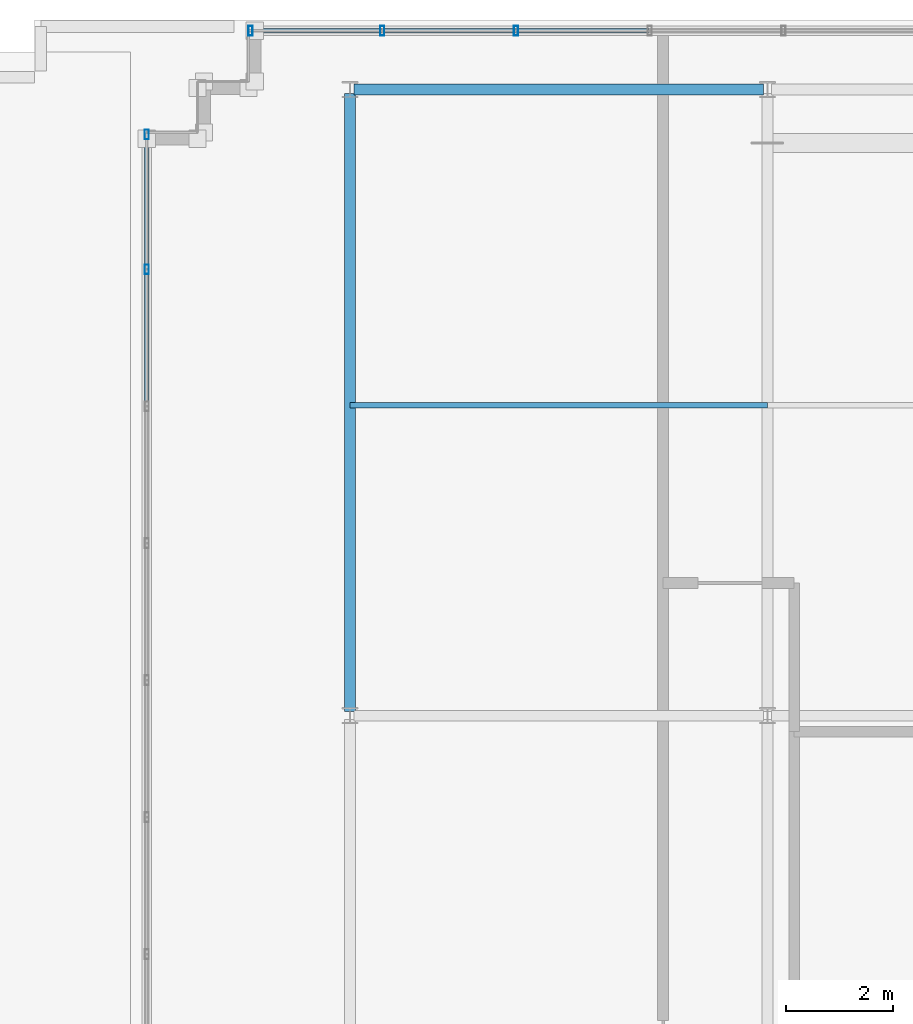
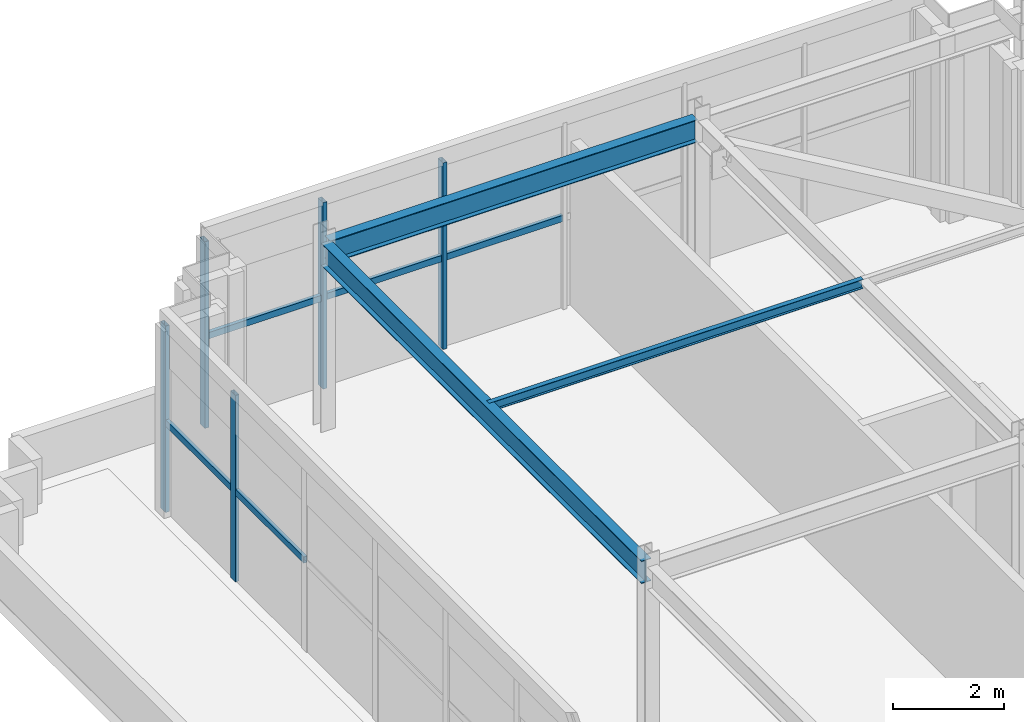
# One storey, part 18 of 28: 11 members, 2 beams, 2 elements without a shape of their own.
"""IFC4 building model written with IfcOpenShell, lengths in metres."""

from ifc_helpers import new_model, si_unit, direction, frame, origin, origin_2d, place, context, subcontext, project, spatial, hollow_rectangle, i_section, extrude, source, transform, mapped, material, material_profile, profile_set, type_object, element, aggregate, save


model = new_model("IFC4")

# Units and contexts
model_context = context("Model", 3, precision=1e-05, world=origin(), true_north=direction((0.0, 1.0)))
body_context = subcontext(model_context, "Body", "Model", "MODEL_VIEW")
ifc_project = project(units=[si_unit("LENGTHUNIT", "METRE"), si_unit("AREAUNIT", "SQUARE_METRE"), si_unit("VOLUMEUNIT", "CUBIC_METRE"), si_unit("PLANEANGLEUNIT", "RADIAN"), si_unit("MASSUNIT", "GRAM", prefix="KILO")], contexts=[model_context])

# Site, building, storey
site_placement = place(None, origin())
site = spatial("IfcSite", under=ifc_project, at=site_placement, CompositionType="ELEMENT")
building_placement = place(site_placement, origin())
building = spatial("IfcBuilding", under=site, at=building_placement, Name="Trelvane Seafront Commons", CompositionType="ELEMENT")
storey_placement = place(building_placement, frame((0.0, 0.0, 312.300048828125)))
storey = spatial("IfcBuildingStorey", under=building, at=storey_placement, Name="L81", CompositionType="ELEMENT", Elevation=312.300048828125)

# Beams
ifc_material_1 = material(Name="Steel SM355 (S355)", Category="steel")
ifc_material_profile_1 = material_profile(ifc_material_1, i_section(OverallWidth=0.199951171875, OverallDepth=0.5, WebThickness=0.010009765625, FlangeThickness=0.01611328125, at=origin_2d()), Name="H-500x200x10x16")
ifc_profile_set_1 = profile_set([ifc_material_profile_1], Name="Steel SM355 (S355)")
beam_type_1 = type_object("IfcBeamType", Name="STR-CROWN-FRAME-RING", PredefinedType="SPANDREL", material=ifc_profile_set_1)
shared_shape_1 = source(origin(), body_context, "Body", "SweptSolid", [
    extrude(i_section(OverallWidth=0.199951171875, OverallDepth=0.5, WebThickness=0.010009765625, FlangeThickness=0.01611328125, at=origin_2d()), origin(), (0.0, 0.0, 1.0), 7.650146484375),
])
beam_1_placement = place(storey_placement, frame((51.074951171875, 45.10009765625, 3.85986328125), z_axis=(1.0, 0.0, 0.0), x_axis=(0.0, 1.0, 0.0)))
element("IfcBeam", 1, at=beam_1_placement, inside=storey, type_object=beam_type_1, Name="L81 CROWN FRAME Ring Beam G-11", PredefinedType="SPANDREL", context=body_context, shape_type="MappedRepresentation", body=[
    mapped(shared_shape_1, transform((0.0, 0.0, 0.0), x_axis=(1.0, 0.0, 0.0), y_axis=(0.0, 1.0, 0.0), z_axis=(0.0, 0.0, 1.0), scale=1.0)),
])
ifc_material_profile_2 = material_profile(ifc_material_1, i_section(OverallWidth=0.199951171875, OverallDepth=0.5, WebThickness=0.010009765625, FlangeThickness=0.01611328125, at=origin_2d()), Name="H-500x200x10x16")
ifc_profile_set_2 = profile_set([ifc_material_profile_2], Name="Steel SM355 (S355)")
beam_type_2 = type_object("IfcBeamType", Name="STR-BM-H500", PredefinedType="BEAM", material=ifc_profile_set_2)
shared_shape_2 = source(origin(), body_context, "Body", "SweptSolid", [
    extrude(i_section(OverallWidth=0.199951171875, OverallDepth=0.5, WebThickness=0.010009765625, FlangeThickness=0.01611328125, at=origin_2d()), origin(), (0.0, 0.0, 1.0), 11.5498046875),
])
beam_2_placement = place(storey_placement, frame((51.0, 33.47509765625, 3.85986328125), z_axis=(0.0, 1.0, 0.0), x_axis=(-1.0, 0.0, 0.0)))
element("IfcBeam", 2, at=beam_2_placement, inside=storey, type_object=beam_type_2, Name="L81 Primary Girder G-20", PredefinedType="BEAM", context=body_context, shape_type="MappedRepresentation", body=[
    mapped(shared_shape_2, transform((0.0, 0.0, 0.0), x_axis=(1.0, 0.0, 0.0), y_axis=(0.0, 1.0, 0.0), z_axis=(0.0, 0.0, 1.0), scale=1.0)),
])

# Member
ifc_material_profile_3 = material_profile(ifc_material_1, i_section(OverallWidth=0.10009765625, OverallDepth=0.199951171875, WebThickness=0.005615234375, FlangeThickness=0.008056640625, at=origin_2d()), Name="H-200x100x5.5x8")
ifc_profile_set_3 = profile_set([ifc_material_profile_3], Name="Steel SM355 (S355)")
member_type_1 = type_object("IfcMemberType", Name="STR-PUR-H200", PredefinedType="PURLIN", material=ifc_profile_set_3)
shared_shape_3 = source(origin(), body_context, "Body", "SweptSolid", [
    extrude(i_section(OverallWidth=0.10009765625, OverallDepth=0.199951171875, WebThickness=0.005615234375, FlangeThickness=0.008056640625, at=origin_2d()), origin(), (0.0, 0.0, 1.0), 7.800048828125),
])
member_1_placement = place(storey_placement, frame((51.0, 39.199951171875, 4.010009765625), z_axis=(1.0, 0.0, 0.0), x_axis=(0.0, 1.0, 0.0)))
element("IfcMember", 3, at=member_1_placement, inside=storey, type_object=member_type_1, Name="L81 Crown Roof Purlin PR-2", PredefinedType="PURLIN", context=body_context, shape_type="MappedRepresentation", body=[
    mapped(shared_shape_3, transform((0.0, 0.0, 0.0), x_axis=(1.0, 0.0, 0.0), y_axis=(0.0, 1.0, 0.0), z_axis=(0.0, 0.0, 1.0), scale=1.0)),
])

# Curtain wall, members
ifc_material_2 = material(Name="Anodised pale-silver aluminium", Category="aluminium")
curtain_wall_type = type_object("IfcCurtainWallType", Name="ARCH-CW6-CROWN", PredefinedType="NOTDEFINED", material=ifc_material_2)
curtain_wall_1_placement = place(storey_placement, origin())
curtain_wall_1 = element("IfcCurtainWall", 4, at=curtain_wall_1_placement, inside=storey, type_object=curtain_wall_type, Name="CW-L81-0148", PredefinedType="NOTDEFINED")
ifc_material_profile_4 = material_profile(ifc_material_2, hollow_rectangle(XDim=0.080078125, YDim=0.179931640625, WallThickness=0.00439453125, at=origin_2d()), Name="MULL-80x180x4.5")
ifc_profile_set_4 = profile_set([ifc_material_profile_4], Name="Anodised pale-silver aluminium")
member_type_2 = type_object("IfcMemberType", Name="ARCH-CW-MULL-180", PredefinedType="MULLION", material=ifc_profile_set_4)
shared_shape_4 = source(origin(), body_context, "Body", "SweptSolid", [
    extrude(hollow_rectangle(XDim=0.080078125, YDim=0.179931640625, WallThickness=0.00439453125, at=origin_2d()), origin(), (0.0, 0.0, 1.0), 4.10986328125),
])
member_2_placement = place(storey_placement, frame((47.199951171875, 41.739990234375, 0.0), z_axis=(0.0, 0.0, 1.0), x_axis=(1.0, 0.0, 0.0)))
member_2 = element("IfcMember", 5, at=member_2_placement, type_object=member_type_2, Name="CW-L81-0148-M09", PredefinedType="MULLION", context=body_context, shape_type="MappedRepresentation", body=[
    mapped(shared_shape_4, transform((0.0, 0.0, 0.0), x_axis=(1.0, 0.0, 0.0), y_axis=(0.0, 1.0, 0.0), z_axis=(0.0, 0.0, 1.0), scale=1.0)),
])
member_3_placement = place(storey_placement, frame((47.199951171875, 44.260009765625, 0.0), z_axis=(0.0, 0.0, 1.0), x_axis=(1.0, 0.0, 0.0)))
member_3 = element("IfcMember", 6, at=member_3_placement, type_object=member_type_2, Name="CW-L81-0148-M10", PredefinedType="MULLION", context=body_context, shape_type="MappedRepresentation", body=[
    mapped(shared_shape_4, transform((0.0, 0.0, 0.0), x_axis=(1.0, 0.0, 0.0), y_axis=(0.0, 1.0, 0.0), z_axis=(0.0, 0.0, 1.0), scale=1.0)),
])

curtain_wall_2_placement = place(storey_placement, origin())
curtain_wall_2 = element("IfcCurtainWall", 7, at=curtain_wall_2_placement, inside=storey, type_object=curtain_wall_type, Name="CW-L81-0149", PredefinedType="NOTDEFINED")
member_4_placement = place(storey_placement, frame((49.139892578125, 46.199951171875, 0.0), z_axis=(0.0, 0.0, 1.0), x_axis=(1.0, 0.0, 0.0)))
member_4 = element("IfcMember", 8, at=member_4_placement, type_object=member_type_2, Name="CW-L81-0149-M00", PredefinedType="MULLION", context=body_context, shape_type="MappedRepresentation", body=[
    mapped(shared_shape_4, transform((0.0, 0.0, 0.0), x_axis=(1.0, 0.0, 0.0), y_axis=(0.0, 1.0, 0.0), z_axis=(0.0, 0.0, 1.0), scale=1.0)),
])
member_5_placement = place(storey_placement, frame((51.60009765625, 46.199951171875, 0.0), z_axis=(0.0, 0.0, 1.0), x_axis=(1.0, 0.0, 0.0)))
member_5 = element("IfcMember", 9, at=member_5_placement, type_object=member_type_2, Name="CW-L81-0149-M01", PredefinedType="MULLION", context=body_context, shape_type="MappedRepresentation", body=[
    mapped(shared_shape_4, transform((0.0, 0.0, 0.0), x_axis=(1.0, 0.0, 0.0), y_axis=(0.0, 1.0, 0.0), z_axis=(0.0, 0.0, 1.0), scale=1.0)),
])
member_6_placement = place(storey_placement, frame((54.10009765625, 46.199951171875, 0.0), z_axis=(0.0, 0.0, 1.0), x_axis=(1.0, 0.0, 0.0)))
member_6 = element("IfcMember", 10, at=member_6_placement, type_object=member_type_2, Name="CW-L81-0149-M02", PredefinedType="MULLION", context=body_context, shape_type="MappedRepresentation", body=[
    mapped(shared_shape_4, transform((0.0, 0.0, 0.0), x_axis=(1.0, 0.0, 0.0), y_axis=(0.0, 1.0, 0.0), z_axis=(0.0, 0.0, 1.0), scale=1.0)),
])

# Member
ifc_material_profile_5 = material_profile(ifc_material_2, hollow_rectangle(XDim=0.074951171875, YDim=0.139892578125, WallThickness=0.00390625, at=origin_2d()), Name="TRAN-75x140x4")
ifc_profile_set_5 = profile_set([ifc_material_profile_5], Name="Anodised pale-silver aluminium")
member_type_3 = type_object("IfcMemberType", Name="ARCH-CW-TRAN-140", PredefinedType="USERDEFINED", material=ifc_profile_set_5)
shared_shape_5 = source(origin(), body_context, "Body", "SweptSolid", [
    extrude(hollow_rectangle(XDim=0.074951171875, YDim=0.139892578125, WallThickness=0.00390625, at=origin_2d()), origin(), (0.0, 0.0, 1.0), 2.5361328125),
])
member_7_placement = place(storey_placement, frame((47.199951171875, 39.19189453125, 1.972900390625), z_axis=(0.0, 1.0, 0.0), x_axis=(-1.0, 0.0, 0.0)))
member_7 = element("IfcMember", 11, at=member_7_placement, type_object=member_type_3, Name="CW-L81-0148-T08", ObjectType="TRANSOM", PredefinedType="USERDEFINED", context=body_context, shape_type="MappedRepresentation", body=[
    mapped(shared_shape_5, transform((0.0, 0.0, 0.0), x_axis=(1.0, 0.0, 0.0), y_axis=(0.0, 1.0, 0.0), z_axis=(0.0, 0.0, 1.0), scale=1.0)),
])

member_8_placement = place(storey_placement, frame((47.199951171875, 41.751953125, 1.972900390625), z_axis=(0.0, 1.0, 0.0), x_axis=(-1.0, 0.0, 0.0)))
member_8 = element("IfcMember", 12, at=member_8_placement, type_object=member_type_3, Name="CW-L81-0148-T09", ObjectType="TRANSOM", PredefinedType="USERDEFINED", context=body_context, shape_type="MappedRepresentation", body=[
    mapped(shared_shape_5, transform((0.0, 0.0, 0.0), x_axis=(1.0, 0.0, 0.0), y_axis=(0.0, 1.0, 0.0), z_axis=(0.0, 0.0, 1.0), scale=1.0)),
])

aggregate(curtain_wall_1, [member_2, member_3, member_7, member_8])

shared_shape_6 = source(origin(), body_context, "Body", "SweptSolid", [
    extrude(hollow_rectangle(XDim=0.074951171875, YDim=0.139892578125, WallThickness=0.00390625, at=origin_2d()), origin(), (0.0, 0.0, 1.0), 2.475830078125),
])
member_9_placement = place(storey_placement, frame((49.112060546875, 46.199951171875, 1.972900390625), z_axis=(1.0, 0.0, 0.0), x_axis=(0.0, 1.0, 0.0)))
member_9 = element("IfcMember", 13, at=member_9_placement, type_object=member_type_3, Name="CW-L81-0149-T00", ObjectType="TRANSOM", PredefinedType="USERDEFINED", context=body_context, shape_type="MappedRepresentation", body=[
    mapped(shared_shape_6, transform((0.0, 0.0, 0.0), x_axis=(1.0, 0.0, 0.0), y_axis=(0.0, 1.0, 0.0), z_axis=(0.0, 0.0, 1.0), scale=1.0)),
])

member_10_placement = place(storey_placement, frame((51.612060546875, 46.199951171875, 1.972900390625), z_axis=(1.0, 0.0, 0.0), x_axis=(0.0, 1.0, 0.0)))
member_10 = element("IfcMember", 14, at=member_10_placement, type_object=member_type_3, Name="CW-L81-0149-T01", ObjectType="TRANSOM", PredefinedType="USERDEFINED", context=body_context, shape_type="MappedRepresentation", body=[
    mapped(shared_shape_6, transform((0.0, 0.0, 0.0), x_axis=(1.0, 0.0, 0.0), y_axis=(0.0, 1.0, 0.0), z_axis=(0.0, 0.0, 1.0), scale=1.0)),
])

member_11_placement = place(storey_placement, frame((54.112060546875, 46.199951171875, 1.972900390625), z_axis=(1.0, 0.0, 0.0), x_axis=(0.0, 1.0, 0.0)))
member_11 = element("IfcMember", 15, at=member_11_placement, type_object=member_type_3, Name="CW-L81-0149-T02", ObjectType="TRANSOM", PredefinedType="USERDEFINED", context=body_context, shape_type="MappedRepresentation", body=[
    mapped(shared_shape_6, transform((0.0, 0.0, 0.0), x_axis=(1.0, 0.0, 0.0), y_axis=(0.0, 1.0, 0.0), z_axis=(0.0, 0.0, 1.0), scale=1.0)),
])

aggregate(curtain_wall_2, [member_4, member_5, member_6, member_9, member_10, member_11])

save(model, "model.ifc")
